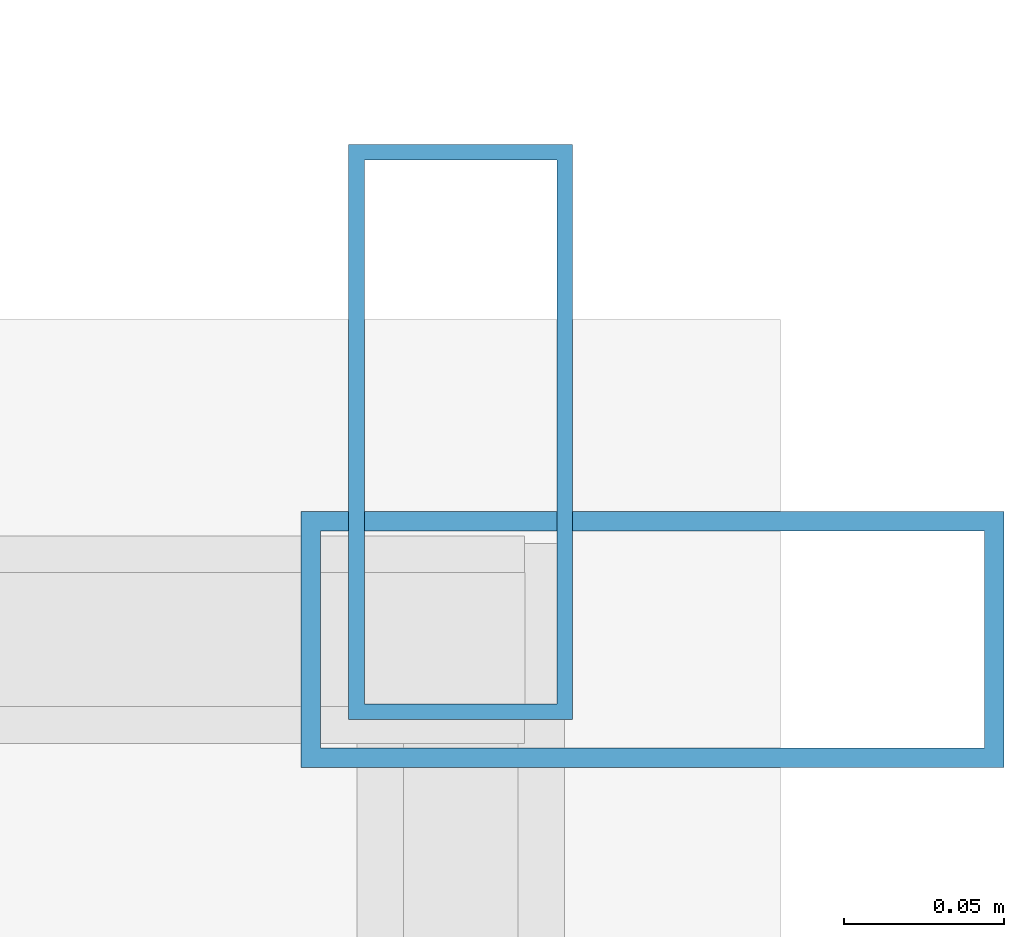
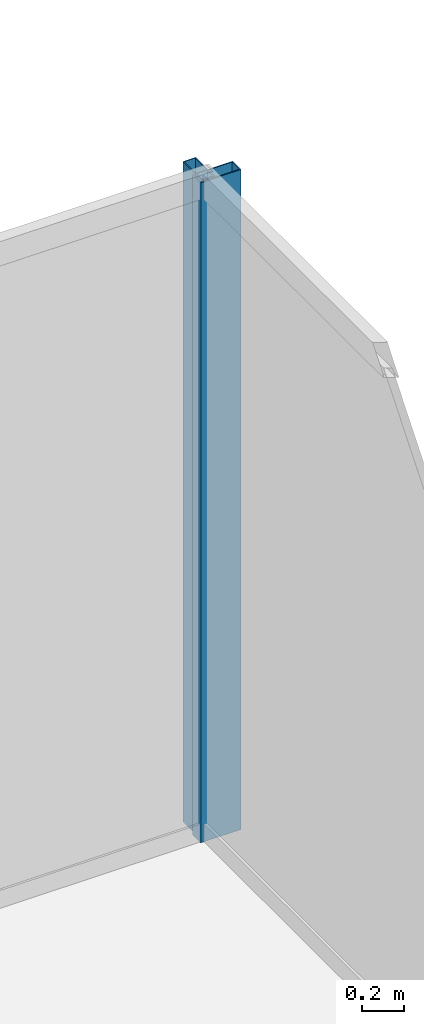
# One storey, part 26 of 34: 2 members, 2 elements without a shape of their own.
"""IFC4 building model written with IfcOpenShell, lengths in metres."""

from ifc_helpers import new_model, si_unit, direction, frame, origin, origin_2d, place, context, subcontext, project, spatial, hollow_rectangle, extrude, source, transform, mapped, material, layer, layer_set, material_profile, profile_set, type_object, type_shapes, element, aggregate, save


model = new_model("IFC4")

# Units and contexts
model_context = context("Model", 3, precision=1e-05, world=origin(), true_north=direction((0.0, 1.0)))
body_context = subcontext(model_context, "Body", "Model", "MODEL_VIEW")
ifc_project = project(units=[si_unit("LENGTHUNIT", "METRE"), si_unit("AREAUNIT", "SQUARE_METRE"), si_unit("VOLUMEUNIT", "CUBIC_METRE"), si_unit("PLANEANGLEUNIT", "RADIAN"), si_unit("MASSUNIT", "GRAM", prefix="KILO")], contexts=[model_context])

# Site, building, storey
site_placement = place(None, origin())
site = spatial("IfcSite", under=ifc_project, at=site_placement, CompositionType="ELEMENT")
building_placement = place(site_placement, origin())
building = spatial("IfcBuilding", under=site, at=building_placement, Name="Haelvirn Gate Laboratories", CompositionType="ELEMENT")
storey_placement = place(building_placement, frame((0.0, 0.0, 205.5)))
storey = spatial("IfcBuildingStorey", under=building, at=storey_placement, Name="L49", CompositionType="ELEMENT", Elevation=205.5)

# Curtain wall, member
ifc_material_1 = material(Name="Anodised bronze unitised aluminium & triple low-E glass", Category="aluminium")
ifc_layer_1 = layer(ifc_material_1, 0.176025390625, Name="CW-SYS-4")
ifc_layer_set_1 = layer_set([ifc_layer_1], Name="Anodised bronze unitised aluminium & triple low-E glass")
curtain_wall_type_1 = type_object("IfcCurtainWallType", Name="CW-SYS-4", PredefinedType="NOTDEFINED", material=ifc_layer_set_1)
curtain_wall_1_placement = place(storey_placement, origin())
curtain_wall_1 = element("IfcCurtainWall", 1, at=curtain_wall_1_placement, inside=storey, type_object=curtain_wall_type_1, Name="L49 Unitised Curtain Wall CW-L49-P0-E07", PredefinedType="NOTDEFINED")
ifc_material_2 = material(Name="Extruded aluminium 6063-T6 (anodised bronze)", Category="aluminium")
ifc_material_profile_1 = material_profile(ifc_material_2, hollow_rectangle(XDim=0.070068359375, YDim=0.179931640625, WallThickness=0.0048828125, at=origin_2d()), Name="CWM-180x70x5")
ifc_profile_set_1 = profile_set([ifc_material_profile_1], Name="Extruded aluminium 6063-T6 (anodised bronze)")
member_type_1 = type_object("IfcMemberType", Name="CWM-T180", PredefinedType="MULLION", material=ifc_profile_set_1)
shared_shape_1 = source(origin(), body_context, "Body", "SweptSolid", [
    extrude(hollow_rectangle(XDim=0.070068359375, YDim=0.179931640625, WallThickness=0.0048828125, at=origin_2d()), origin(), (0.0, 0.0, 1.0), 3.800048828125),
])
type_shapes(member_type_1, [shared_shape_1])
member_1_placement = place(storey_placement, frame((70.699951171875, 42.764892578125, 0.0), z_axis=(0.0, 0.0, 1.0), x_axis=(-1.0, 0.0, 0.0)))
member_1 = element("IfcMember", 2, at=member_1_placement, type_object=member_type_1, Name="CW4 mullion 3", PredefinedType="MULLION", context=body_context, shape_type="MappedRepresentation", body=[
    mapped(shared_shape_1, transform((0.0, 0.0, 0.0), scale=1.0)),
])
aggregate(curtain_wall_1, [member_1])

ifc_layer_2 = layer(ifc_material_1, 0.181884765625, Name="CW-SYS-5")
ifc_layer_set_2 = layer_set([ifc_layer_2], Name="Anodised bronze unitised aluminium & triple low-E glass")
curtain_wall_type_2 = type_object("IfcCurtainWallType", Name="CW-SYS-5", PredefinedType="NOTDEFINED", material=ifc_layer_set_2)
curtain_wall_2_placement = place(storey_placement, origin())
curtain_wall_2 = element("IfcCurtainWall", 3, at=curtain_wall_2_placement, inside=storey, type_object=curtain_wall_type_2, Name="L49 Unitised Curtain Wall CW-L49-P0-E08-1", PredefinedType="NOTDEFINED")
ifc_material_profile_2 = material_profile(ifc_material_2, hollow_rectangle(XDim=0.080078125, YDim=0.219970703125, WallThickness=0.006103515625, at=origin_2d()), Name="CWM-220x80x6")
ifc_profile_set_2 = profile_set([ifc_material_profile_2], Name="Extruded aluminium 6063-T6 (anodised bronze)")
member_type_2 = type_object("IfcMemberType", Name="CWM-T220", PredefinedType="MULLION", material=ifc_profile_set_2)
shared_shape_2 = source(origin(), body_context, "Body", "SweptSolid", [
    extrude(hollow_rectangle(XDim=0.080078125, YDim=0.219970703125, WallThickness=0.006103515625, at=origin_2d()), origin(), (0.0, 0.0, 1.0), 3.800048828125),
])
type_shapes(member_type_2, [shared_shape_2])
member_2_placement = place(storey_placement, frame((70.760009765625, 42.699951171875, 0.0), z_axis=(0.0, 0.0, 1.0), x_axis=(0.0, 1.0, 0.0)))
member_2 = element("IfcMember", 4, at=member_2_placement, type_object=member_type_2, Name="CW5 mullion 2", PredefinedType="MULLION", context=body_context, shape_type="MappedRepresentation", body=[
    mapped(shared_shape_2, transform((0.0, 0.0, 0.0), scale=1.0)),
])
aggregate(curtain_wall_2, [member_2])

save(model, "model.ifc")
